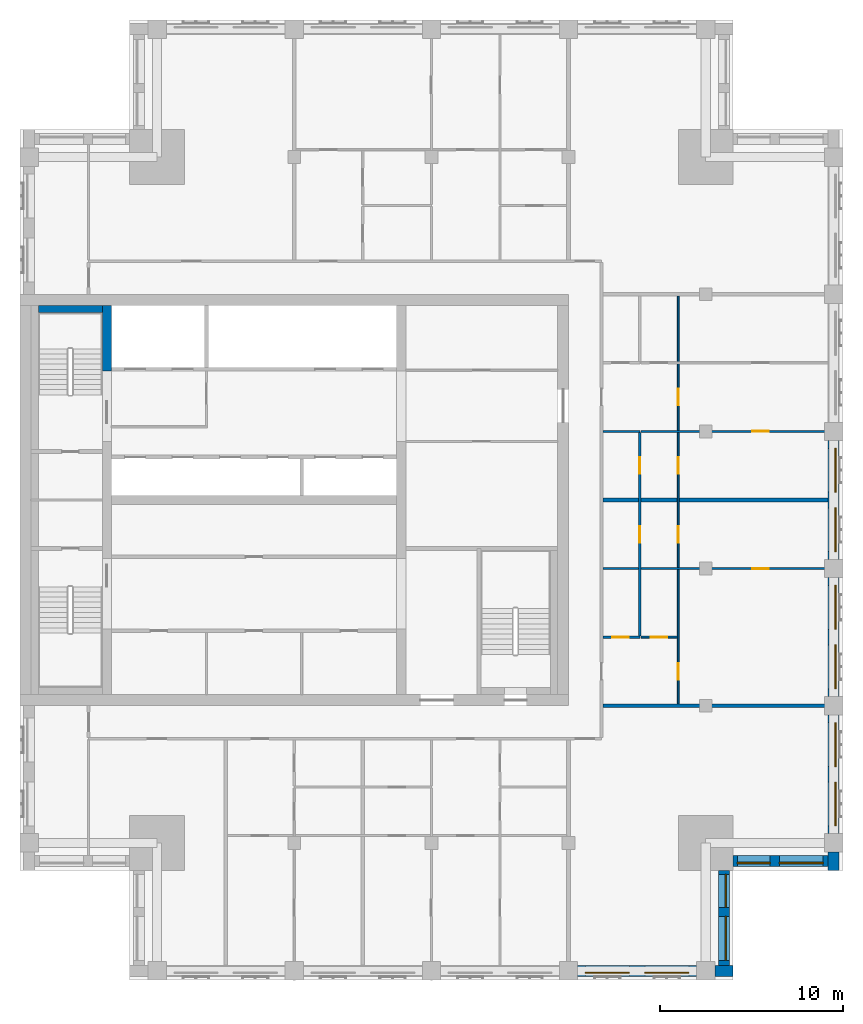
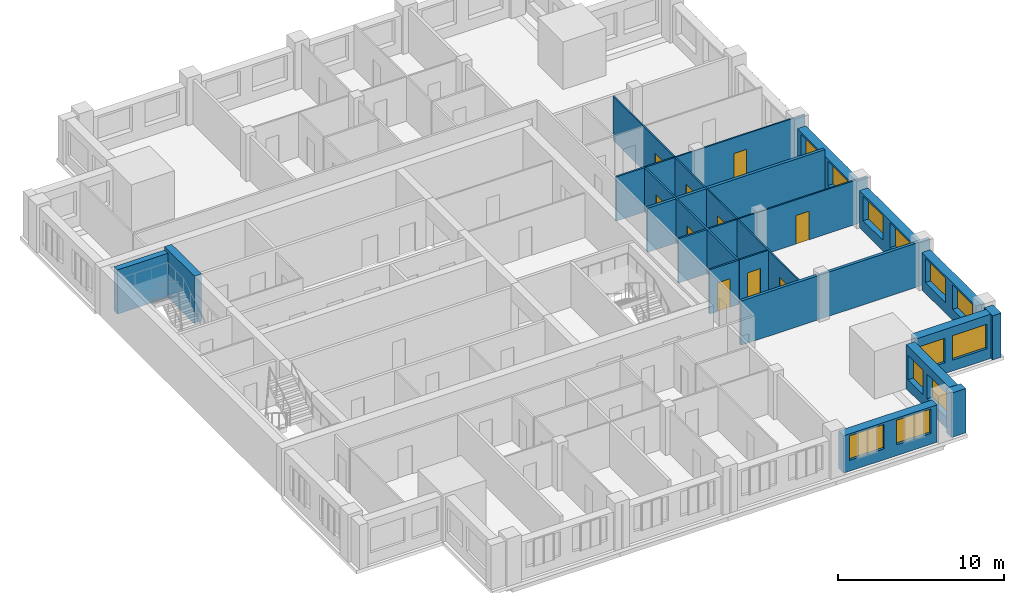
# One storey, part 5 of 10: 20 walls, 12 windows, 10 doors, 22 openings.
"""IFC4 building model written with IfcOpenShell, lengths in metres."""

from ifc_helpers import new_model, si_unit, direction, frame, frame_2d, origin, place, context, subcontext, project, spatial, rectangle, extrude, material, layer, layer_set, type_object, element, fill, save


model = new_model("IFC4")

# Units and contexts
model_context = context("Model", 3, precision=1e-05, world=origin(), true_north=direction((0.0, 1.0)))
body_context = subcontext(model_context, "Body", "Model", "MODEL_VIEW")
ifc_project = project(units=[si_unit("LENGTHUNIT", "METRE"), si_unit("AREAUNIT", "SQUARE_METRE"), si_unit("VOLUMEUNIT", "CUBIC_METRE"), si_unit("PLANEANGLEUNIT", "RADIAN"), si_unit("MASSUNIT", "GRAM", prefix="KILO")], contexts=[model_context])

# Site, building, storey
site_placement = place(None, origin())
site = spatial("IfcSite", under=ifc_project, at=site_placement, CompositionType="ELEMENT")
building_placement = place(site_placement, origin())
building = spatial("IfcBuilding", under=site, at=building_placement, Name="Tamorin Gate", CompositionType="ELEMENT")
storey_placement = place(building_placement, frame((0.0, 0.0, 269.699951171875)))
storey = spatial("IfcBuildingStorey", under=building, at=storey_placement, Name="L67", CompositionType="ELEMENT", Elevation=269.699951171875)

# Wall, openings, windows
ifc_material_1 = material(Name="Precast concrete C40/50", Category="concrete")
ifc_layer_1 = layer(ifc_material_1, 0.60009765625)
ifc_layer_set_1 = layer_set([ifc_layer_1], Name="Precast concrete C40/50")
wall_type_1 = type_object("IfcWallType", Name="Board-marked concrete facade panel 600", PredefinedType="SOLIDWALL", material=ifc_layer_set_1)
wall_1_placement = place(storey_placement, frame((60.5, 45.5, 0.0), z_axis=(0.0, 0.0, 1.0), x_axis=(1.0, 0.0, 0.0)))
wall_1 = element("IfcWall", 1, at=wall_1_placement, inside=storey, type_object=wall_type_1, Name="Facade panel", PredefinedType="SOLIDWALL", context=body_context, shape_type="SweptSolid", body=[
    extrude(rectangle(XDim=6.5, YDim=0.60009765625, at=frame_2d((3.25, 0.0))), origin(), (0.0, 0.0, 1.0), 2.75),
])
opening_1_placement = place(wall_1_placement, frame((0.425048828125, 0.0, 0.800048828125)))
opening_1 = element("IfcOpeningElement", 2, at=opening_1_placement, cuts=wall_1, Name="Opening WN1", PredefinedType="OPENING", context=body_context, shape_type="SweptSolid", body=[
    extrude(rectangle(XDim=2.39990234375, YDim=1.800048828125, at=frame_2d((1.199951171875, 0.89990234375))), frame((0.0, 0.31005859375, 0.0), z_axis=(0.0, -1.0, 0.0), x_axis=(1.0, 0.0, 0.0)), (0.0, 0.0, 1.0), 0.6201171875),
])
opening_2_placement = place(wall_1_placement, frame((3.675048828125, 0.0, 0.800048828125)))
opening_2 = element("IfcOpeningElement", 3, at=opening_2_placement, cuts=wall_1, Name="Opening WN1", PredefinedType="OPENING", context=body_context, shape_type="SweptSolid", body=[
    extrude(rectangle(XDim=2.39990234375, YDim=1.800048828125, at=frame_2d((1.199951171875, 0.89990234375))), frame((0.0, 0.31005859375, 0.0), z_axis=(0.0, -1.0, 0.0), x_axis=(1.0, 0.0, 0.0)), (0.0, 0.0, 1.0), 0.6201171875),
])
ifc_material_2 = material(Name="Clear glass in aluminium frame", Category="aluminium")
window_type_1 = type_object("IfcWindowType", Name="Deep-set window 2400x1800", PartitioningType="SINGLE_PANEL", PredefinedType="WINDOW", material=ifc_material_2)
window_1_placement = place(opening_1_placement, origin())
window_1 = element("IfcWindow", 4, at=window_1_placement, inside=storey, type_object=window_type_1, Name="Deep-set window", OverallHeight=1.800048828125, OverallWidth=2.39990234375, PartitioningType="SINGLE_PANEL", PredefinedType="WINDOW", context=body_context, shape_type="SweptSolid", body=[
    extrude(rectangle(XDim=2.39990234375, YDim=1.800048828125, at=frame_2d((1.199951171875, 0.89990234375))), frame((0.0, -0.070068359375, 0.0), z_axis=(0.0, -1.0, 0.0), x_axis=(1.0, 0.0, 0.0)), (0.0, 0.0, 1.0), 0.06005859375),
])
fill(opening_1, window_1)
window_2_placement = place(opening_2_placement, origin())
window_2 = element("IfcWindow", 5, at=window_2_placement, inside=storey, type_object=window_type_1, Name="Deep-set window", OverallHeight=1.800048828125, OverallWidth=2.39990234375, PartitioningType="SINGLE_PANEL", PredefinedType="WINDOW", context=body_context, shape_type="SweptSolid", body=[
    extrude(rectangle(XDim=2.39990234375, YDim=1.800048828125, at=frame_2d((1.199951171875, 0.89990234375))), frame((0.0, -0.070068359375, 0.0), z_axis=(0.0, -1.0, 0.0), x_axis=(1.0, 0.0, 0.0)), (0.0, 0.0, 1.0), 0.06005859375),
])
fill(opening_2, window_2)

# Wall
wall_2_placement = place(storey_placement, frame((68.0, 45.5, 0.0), z_axis=(0.0, 0.0, 1.0), x_axis=(1.0, 0.0, 0.0)))
element("IfcWall", 6, at=wall_2_placement, inside=storey, type_object=wall_type_1, Name="Facade panel", PredefinedType="SOLIDWALL", context=body_context, shape_type="SweptSolid", body=[
    extrude(rectangle(XDim=1.0, YDim=0.60009765625, at=frame_2d((0.5, 0.0))), origin(), (0.0, 0.0, 1.0), 3.25),
])

# Wall, openings, windows
wall_3_placement = place(storey_placement, frame((68.5, 45.800048828125, 0.0), z_axis=(0.0, 0.0, 1.0), x_axis=(0.0, 1.0, 0.0)))
wall_3 = element("IfcWall", 7, at=wall_3_placement, inside=storey, type_object=wall_type_1, Name="Facade panel", PredefinedType="SOLIDWALL", context=body_context, shape_type="SweptSolid", body=[
    extrude(rectangle(XDim=5.199951171875, YDim=0.60009765625, at=frame_2d((2.60009765625, 0.0))), origin(), (0.0, 0.0, 1.0), 3.25),
])
opening_3_placement = place(wall_3_placement, frame((0.27490234375, 0.0, 0.800048828125)))
opening_3 = element("IfcOpeningElement", 8, at=opening_3_placement, cuts=wall_3, Name="Opening WN1", PredefinedType="OPENING", context=body_context, shape_type="SweptSolid", body=[
    extrude(rectangle(XDim=2.39990234375, YDim=1.800048828125, at=frame_2d((1.199951171875, 0.89990234375))), frame((0.0, 0.31005859375, 0.0), z_axis=(0.0, -1.0, 0.0), x_axis=(1.0, 0.0, 0.0)), (0.0, 0.0, 1.0), 0.6201171875),
])
opening_4_placement = place(wall_3_placement, frame((3.175048828125, 0.0, 0.800048828125)))
opening_4 = element("IfcOpeningElement", 9, at=opening_4_placement, cuts=wall_3, Name="Opening WN2", PredefinedType="OPENING", context=body_context, shape_type="SweptSolid", body=[
    extrude(rectangle(XDim=1.800048828125, YDim=1.800048828125, at=frame_2d((0.89990234375, 0.89990234375))), frame((0.0, 0.31005859375, 0.0), z_axis=(0.0, -1.0, 0.0), x_axis=(1.0, 0.0, 0.0)), (0.0, 0.0, 1.0), 0.6201171875),
])
window_type_2 = type_object("IfcWindowType", Name="Deep-set window 1800x1800", PartitioningType="SINGLE_PANEL", PredefinedType="WINDOW", material=ifc_material_2)
window_3_placement = place(opening_4_placement, origin())
window_3 = element("IfcWindow", 10, at=window_3_placement, inside=storey, type_object=window_type_2, Name="Deep-set window", OverallHeight=1.800048828125, OverallWidth=1.800048828125, PartitioningType="SINGLE_PANEL", PredefinedType="WINDOW", context=body_context, shape_type="SweptSolid", body=[
    extrude(rectangle(XDim=1.800048828125, YDim=1.800048828125, at=frame_2d((0.89990234375, 0.89990234375))), frame((0.0, -0.070068359375, 0.0), z_axis=(0.0, -1.0, 0.0), x_axis=(1.0, 0.0, 0.0)), (0.0, 0.0, 1.0), 0.06005859375),
])
fill(opening_4, window_3)
window_4_placement = place(opening_3_placement, origin())
window_4 = element("IfcWindow", 11, at=window_4_placement, inside=storey, type_object=window_type_1, Name="Deep-set window", OverallHeight=1.800048828125, OverallWidth=2.39990234375, PartitioningType="SINGLE_PANEL", PredefinedType="WINDOW", context=body_context, shape_type="SweptSolid", body=[
    extrude(rectangle(XDim=2.39990234375, YDim=1.800048828125, at=frame_2d((1.199951171875, 0.89990234375))), frame((0.0, -0.070068359375, 0.0), z_axis=(0.0, -1.0, 0.0), x_axis=(1.0, 0.0, 0.0)), (0.0, 0.0, 1.0), 0.06005859375),
])
fill(opening_3, window_4)

wall_4_placement = place(storey_placement, frame((69.0, 51.5, 0.0), z_axis=(0.0, 0.0, 1.0), x_axis=(1.0, 0.0, 0.0)))
wall_4 = element("IfcWall", 12, at=wall_4_placement, inside=storey, type_object=wall_type_1, Name="Facade panel", PredefinedType="SOLIDWALL", context=body_context, shape_type="SweptSolid", body=[
    extrude(rectangle(XDim=5.199951171875, YDim=0.60009765625, at=frame_2d((2.60009765625, 0.0))), origin(), (0.0, 0.0, 1.0), 3.25),
])
opening_5_placement = place(wall_4_placement, frame((0.22509765625, 0.0, 0.800048828125)))
opening_5 = element("IfcOpeningElement", 13, at=opening_5_placement, cuts=wall_4, Name="Opening WN2", PredefinedType="OPENING", context=body_context, shape_type="SweptSolid", body=[
    extrude(rectangle(XDim=1.800048828125, YDim=1.800048828125, at=frame_2d((0.89990234375, 0.89990234375))), frame((0.0, 0.31005859375, 0.0), z_axis=(0.0, -1.0, 0.0), x_axis=(1.0, 0.0, 0.0)), (0.0, 0.0, 1.0), 0.6201171875),
])
opening_6_placement = place(wall_4_placement, frame((2.52490234375, 0.0, 0.800048828125)))
opening_6 = element("IfcOpeningElement", 14, at=opening_6_placement, cuts=wall_4, Name="Opening WN1", PredefinedType="OPENING", context=body_context, shape_type="SweptSolid", body=[
    extrude(rectangle(XDim=2.39990234375, YDim=1.800048828125, at=frame_2d((1.199951171875, 0.89990234375))), frame((0.0, 0.31005859375, 0.0), z_axis=(0.0, -1.0, 0.0), x_axis=(1.0, 0.0, 0.0)), (0.0, 0.0, 1.0), 0.6201171875),
])
window_5_placement = place(opening_5_placement, origin())
window_5 = element("IfcWindow", 15, at=window_5_placement, inside=storey, type_object=window_type_2, Name="Deep-set window", OverallHeight=1.800048828125, OverallWidth=1.800048828125, PartitioningType="SINGLE_PANEL", PredefinedType="WINDOW", context=body_context, shape_type="SweptSolid", body=[
    extrude(rectangle(XDim=1.800048828125, YDim=1.800048828125, at=frame_2d((0.89990234375, 0.89990234375))), frame((0.0, -0.070068359375, 0.0), z_axis=(0.0, -1.0, 0.0), x_axis=(1.0, 0.0, 0.0)), (0.0, 0.0, 1.0), 0.06005859375),
])
fill(opening_5, window_5)
window_6_placement = place(opening_6_placement, origin())
window_6 = element("IfcWindow", 16, at=window_6_placement, inside=storey, type_object=window_type_1, Name="Deep-set window", OverallHeight=1.800048828125, OverallWidth=2.39990234375, PartitioningType="SINGLE_PANEL", PredefinedType="WINDOW", context=body_context, shape_type="SweptSolid", body=[
    extrude(rectangle(XDim=2.39990234375, YDim=1.800048828125, at=frame_2d((1.199951171875, 0.89990234375))), frame((0.0, -0.070068359375, 0.0), z_axis=(0.0, -1.0, 0.0), x_axis=(1.0, 0.0, 0.0)), (0.0, 0.0, 1.0), 0.06005859375),
])
fill(opening_6, window_6)

# Wall
wall_5_placement = place(storey_placement, frame((74.5, 51.0, 0.0), z_axis=(0.0, 0.0, 1.0), x_axis=(0.0, 1.0, 0.0)))
element("IfcWall", 17, at=wall_5_placement, inside=storey, type_object=wall_type_1, Name="Facade panel", PredefinedType="SOLIDWALL", context=body_context, shape_type="SweptSolid", body=[
    extrude(rectangle(XDim=1.0, YDim=0.60009765625, at=frame_2d((0.5, 0.0))), origin(), (0.0, 0.0, 1.0), 3.25),
])

# Wall, openings, windows
wall_6_placement = place(storey_placement, frame((74.5, 53.0, 0.0), z_axis=(0.0, 0.0, 1.0), x_axis=(0.0, 1.0, 0.0)))
wall_6 = element("IfcWall", 18, at=wall_6_placement, inside=storey, type_object=wall_type_1, Name="Facade panel", PredefinedType="SOLIDWALL", context=body_context, shape_type="SweptSolid", body=[
    extrude(rectangle(XDim=6.5, YDim=0.60009765625, at=frame_2d((3.25, 0.0))), origin(), (0.0, 0.0, 1.0), 2.75),
])
opening_7_placement = place(wall_6_placement, frame((0.425048828125, 0.0, 0.800048828125)))
opening_7 = element("IfcOpeningElement", 19, at=opening_7_placement, cuts=wall_6, Name="Opening WN1", PredefinedType="OPENING", context=body_context, shape_type="SweptSolid", body=[
    extrude(rectangle(XDim=2.39990234375, YDim=1.800048828125, at=frame_2d((1.199951171875, 0.89990234375))), frame((0.0, 0.31005859375, 0.0), z_axis=(0.0, -1.0, 0.0), x_axis=(1.0, 0.0, 0.0)), (0.0, 0.0, 1.0), 0.6201171875),
])
opening_8_placement = place(wall_6_placement, frame((3.675048828125, 0.0, 0.800048828125)))
opening_8 = element("IfcOpeningElement", 20, at=opening_8_placement, cuts=wall_6, Name="Opening WN1", PredefinedType="OPENING", context=body_context, shape_type="SweptSolid", body=[
    extrude(rectangle(XDim=2.39990234375, YDim=1.800048828125, at=frame_2d((1.199951171875, 0.89990234375))), frame((0.0, 0.31005859375, 0.0), z_axis=(0.0, -1.0, 0.0), x_axis=(1.0, 0.0, 0.0)), (0.0, 0.0, 1.0), 0.6201171875),
])
window_7_placement = place(opening_7_placement, origin())
window_7 = element("IfcWindow", 21, at=window_7_placement, inside=storey, type_object=window_type_1, Name="Deep-set window", OverallHeight=1.800048828125, OverallWidth=2.39990234375, PartitioningType="SINGLE_PANEL", PredefinedType="WINDOW", context=body_context, shape_type="SweptSolid", body=[
    extrude(rectangle(XDim=2.39990234375, YDim=1.800048828125, at=frame_2d((1.199951171875, 0.89990234375))), frame((0.0, -0.070068359375, 0.0), z_axis=(0.0, -1.0, 0.0), x_axis=(1.0, 0.0, 0.0)), (0.0, 0.0, 1.0), 0.06005859375),
])
fill(opening_7, window_7)
window_8_placement = place(opening_8_placement, origin())
window_8 = element("IfcWindow", 22, at=window_8_placement, inside=storey, type_object=window_type_1, Name="Deep-set window", OverallHeight=1.800048828125, OverallWidth=2.39990234375, PartitioningType="SINGLE_PANEL", PredefinedType="WINDOW", context=body_context, shape_type="SweptSolid", body=[
    extrude(rectangle(XDim=2.39990234375, YDim=1.800048828125, at=frame_2d((1.199951171875, 0.89990234375))), frame((0.0, -0.070068359375, 0.0), z_axis=(0.0, -1.0, 0.0), x_axis=(1.0, 0.0, 0.0)), (0.0, 0.0, 1.0), 0.06005859375),
])
fill(opening_8, window_8)

wall_7_placement = place(storey_placement, frame((74.5, 60.5, 0.0), z_axis=(0.0, 0.0, 1.0), x_axis=(0.0, 1.0, 0.0)))
wall_7 = element("IfcWall", 23, at=wall_7_placement, inside=storey, type_object=wall_type_1, Name="Facade panel", PredefinedType="SOLIDWALL", context=body_context, shape_type="SweptSolid", body=[
    extrude(rectangle(XDim=6.5, YDim=0.60009765625, at=frame_2d((3.25, 0.0))), origin(), (0.0, 0.0, 1.0), 2.75),
])
opening_9_placement = place(wall_7_placement, frame((0.425048828125, 0.0, 0.800048828125)))
opening_9 = element("IfcOpeningElement", 24, at=opening_9_placement, cuts=wall_7, Name="Opening WN1", PredefinedType="OPENING", context=body_context, shape_type="SweptSolid", body=[
    extrude(rectangle(XDim=2.39990234375, YDim=1.800048828125, at=frame_2d((1.199951171875, 0.89990234375))), frame((0.0, 0.31005859375, 0.0), z_axis=(0.0, -1.0, 0.0), x_axis=(1.0, 0.0, 0.0)), (0.0, 0.0, 1.0), 0.6201171875),
])
opening_10_placement = place(wall_7_placement, frame((3.675048828125, 0.0, 0.800048828125)))
opening_10 = element("IfcOpeningElement", 25, at=opening_10_placement, cuts=wall_7, Name="Opening WN1", PredefinedType="OPENING", context=body_context, shape_type="SweptSolid", body=[
    extrude(rectangle(XDim=2.39990234375, YDim=1.800048828125, at=frame_2d((1.199951171875, 0.89990234375))), frame((0.0, 0.31005859375, 0.0), z_axis=(0.0, -1.0, 0.0), x_axis=(1.0, 0.0, 0.0)), (0.0, 0.0, 1.0), 0.6201171875),
])
window_9_placement = place(opening_9_placement, origin())
window_9 = element("IfcWindow", 26, at=window_9_placement, inside=storey, type_object=window_type_1, Name="Deep-set window", OverallHeight=1.800048828125, OverallWidth=2.39990234375, PartitioningType="SINGLE_PANEL", PredefinedType="WINDOW", context=body_context, shape_type="SweptSolid", body=[
    extrude(rectangle(XDim=2.39990234375, YDim=1.800048828125, at=frame_2d((1.199951171875, 0.89990234375))), frame((0.0, -0.070068359375, 0.0), z_axis=(0.0, -1.0, 0.0), x_axis=(1.0, 0.0, 0.0)), (0.0, 0.0, 1.0), 0.06005859375),
])
fill(opening_9, window_9)
window_10_placement = place(opening_10_placement, origin())
window_10 = element("IfcWindow", 27, at=window_10_placement, inside=storey, type_object=window_type_1, Name="Deep-set window", OverallHeight=1.800048828125, OverallWidth=2.39990234375, PartitioningType="SINGLE_PANEL", PredefinedType="WINDOW", context=body_context, shape_type="SweptSolid", body=[
    extrude(rectangle(XDim=2.39990234375, YDim=1.800048828125, at=frame_2d((1.199951171875, 0.89990234375))), frame((0.0, -0.070068359375, 0.0), z_axis=(0.0, -1.0, 0.0), x_axis=(1.0, 0.0, 0.0)), (0.0, 0.0, 1.0), 0.06005859375),
])
fill(opening_10, window_10)

wall_8_placement = place(storey_placement, frame((74.5, 68.0, 0.0), z_axis=(0.0, 0.0, 1.0), x_axis=(0.0, 1.0, 0.0)))
wall_8 = element("IfcWall", 28, at=wall_8_placement, inside=storey, type_object=wall_type_1, Name="Facade panel", PredefinedType="SOLIDWALL", context=body_context, shape_type="SweptSolid", body=[
    extrude(rectangle(XDim=6.5, YDim=0.60009765625, at=frame_2d((3.25, 0.0))), origin(), (0.0, 0.0, 1.0), 2.75),
])
opening_11_placement = place(wall_8_placement, frame((0.425048828125, 0.0, 0.800048828125)))
opening_11 = element("IfcOpeningElement", 29, at=opening_11_placement, cuts=wall_8, Name="Opening WN1", PredefinedType="OPENING", context=body_context, shape_type="SweptSolid", body=[
    extrude(rectangle(XDim=2.39990234375, YDim=1.800048828125, at=frame_2d((1.199951171875, 0.89990234375))), frame((0.0, 0.31005859375, 0.0), z_axis=(0.0, -1.0, 0.0), x_axis=(1.0, 0.0, 0.0)), (0.0, 0.0, 1.0), 0.6201171875),
])
opening_12_placement = place(wall_8_placement, frame((3.675048828125, 0.0, 0.800048828125)))
opening_12 = element("IfcOpeningElement", 30, at=opening_12_placement, cuts=wall_8, Name="Opening WN1", PredefinedType="OPENING", context=body_context, shape_type="SweptSolid", body=[
    extrude(rectangle(XDim=2.39990234375, YDim=1.800048828125, at=frame_2d((1.199951171875, 0.89990234375))), frame((0.0, 0.31005859375, 0.0), z_axis=(0.0, -1.0, 0.0), x_axis=(1.0, 0.0, 0.0)), (0.0, 0.0, 1.0), 0.6201171875),
])
window_11_placement = place(opening_11_placement, origin())
window_11 = element("IfcWindow", 31, at=window_11_placement, inside=storey, type_object=window_type_1, Name="Deep-set window", OverallHeight=1.800048828125, OverallWidth=2.39990234375, PartitioningType="SINGLE_PANEL", PredefinedType="WINDOW", context=body_context, shape_type="SweptSolid", body=[
    extrude(rectangle(XDim=2.39990234375, YDim=1.800048828125, at=frame_2d((1.199951171875, 0.89990234375))), frame((0.0, -0.070068359375, 0.0), z_axis=(0.0, -1.0, 0.0), x_axis=(1.0, 0.0, 0.0)), (0.0, 0.0, 1.0), 0.06005859375),
])
fill(opening_11, window_11)
window_12_placement = place(opening_12_placement, origin())
window_12 = element("IfcWindow", 32, at=window_12_placement, inside=storey, type_object=window_type_1, Name="Deep-set window", OverallHeight=1.800048828125, OverallWidth=2.39990234375, PartitioningType="SINGLE_PANEL", PredefinedType="WINDOW", context=body_context, shape_type="SweptSolid", body=[
    extrude(rectangle(XDim=2.39990234375, YDim=1.800048828125, at=frame_2d((1.199951171875, 0.89990234375))), frame((0.0, -0.070068359375, 0.0), z_axis=(0.0, -1.0, 0.0), x_axis=(1.0, 0.0, 0.0)), (0.0, 0.0, 1.0), 0.06005859375),
])
fill(opening_12, window_12)

# Walls
ifc_material_3 = material(Name="Gypsum board partition")
ifc_layer_2 = layer(ifc_material_3, 0.199951171875)
ifc_layer_set_2 = layer_set([ifc_layer_2], Name="Demising wall 200")
wall_type_2 = type_object("IfcWallType", Name="Demising wall 200", PredefinedType="PARTITIONING", material=ifc_layer_set_2)
wall_9_placement = place(storey_placement, frame((61.875, 60.0, 0.0), z_axis=(0.0, 0.0, 1.0), x_axis=(1.0, 0.0, 0.0)))
element("IfcWall", 33, at=wall_9_placement, inside=storey, type_object=wall_type_2, Name="Demising wall 200", PredefinedType="PARTITIONING", context=body_context, shape_type="SweptSolid", body=[
    extrude(rectangle(XDim=13.125, YDim=0.199951171875, at=frame_2d((6.5625, 0.0))), origin(), (0.0, 0.0, 1.0), 3.25),
])
wall_10_placement = place(storey_placement, frame((61.875, 71.25, 0.0), z_axis=(0.0, 0.0, 1.0), x_axis=(1.0, 0.0, 0.0)))
element("IfcWall", 34, at=wall_10_placement, inside=storey, type_object=wall_type_2, Name="Demising wall 200", PredefinedType="PARTITIONING", context=body_context, shape_type="SweptSolid", body=[
    extrude(rectangle(XDim=12.31494140625, YDim=0.199951171875, at=frame_2d((6.157470703125, 0.0))), origin(), (0.0, 0.0, 1.0), 3.25),
])
ifc_material_4 = material(Name="Concrete C50/60", Category="concrete")
ifc_layer_3 = layer(ifc_material_4, 0.5)
ifc_layer_set_3 = layer_set([ifc_layer_3], Name="RC core internal wall 500 C50/60")
wall_type_3 = type_object("IfcWallType", Name="RC core internal wall 500 C50/60", PredefinedType="SHEAR", material=ifc_layer_set_3)
wall_11_placement = place(storey_placement, frame((34.75, 78.300048828125, 0.0), z_axis=(0.0, 0.0, 1.0), x_axis=(0.0, 1.0, 0.0)))
element("IfcWall", 35, at=wall_11_placement, inside=storey, type_object=wall_type_3, Name="Core cross wall L67", PredefinedType="SHEAR", context=body_context, shape_type="SweptSolid", body=[
    extrude(rectangle(XDim=3.599853515625, YDim=0.5, at=frame_2d((1.7998046875, 0.0))), origin(), (0.0, 0.0, 1.0), 3.5),
])

# Wall, opening, door
ifc_layer_4 = layer(ifc_material_3, 0.10009765625)
ifc_layer_set_4 = layer_set([ifc_layer_4], Name="Room partition 100")
wall_type_4 = type_object("IfcWallType", Name="Room partition 100", PredefinedType="PARTITIONING", material=ifc_layer_set_4)
wall_12_placement = place(storey_placement, frame((63.96240234375, 63.75, 0.0), z_axis=(0.0, 0.0, 1.0), x_axis=(1.0, 0.0, 0.0)))
wall_12 = element("IfcWall", 36, at=wall_12_placement, inside=storey, type_object=wall_type_4, Name="Room partition 100", PredefinedType="PARTITIONING", context=body_context, shape_type="SweptSolid", body=[
    extrude(rectangle(XDim=1.987548828125, YDim=0.10009765625, at=frame_2d((0.99365234375, 0.0))), origin(), (0.0, 0.0, 1.0), 3.25),
])
opening_13_placement = place(wall_12_placement, frame((0.53759765625, 0.0, 0.0)))
opening_13 = element("IfcOpeningElement", 37, at=opening_13_placement, cuts=wall_12, Name="Opening DR9031", PredefinedType="OPENING", context=body_context, shape_type="SweptSolid", body=[
    extrude(rectangle(XDim=0.89990234375, YDim=2.10009765625, at=frame_2d((0.449951171875, 1.050048828125))), frame((0.0, 0.06005859375, 0.0), z_axis=(0.0, -1.0, 0.0), x_axis=(1.0, 0.0, 0.0)), (0.0, 0.0, 1.0), 0.1201171875),
])
ifc_material_5 = material(Name="Timber door leaf", Category="wood")
door_type = type_object("IfcDoorType", Name="Door 900 x 2100", OperationType="NOTDEFINED", PredefinedType="DOOR", material=ifc_material_5)
door_1_placement = place(opening_13_placement, origin())
door_1 = element("IfcDoor", 38, at=door_1_placement, inside=storey, type_object=door_type, Name="Door DR9031", OperationType="SINGLE_SWING_RIGHT", OverallHeight=2.10009765625, OverallWidth=0.89990234375, PredefinedType="DOOR", context=body_context, shape_type="SweptSolid", body=[
    extrude(rectangle(XDim=0.89990234375, YDim=2.10009765625, at=frame_2d((0.449951171875, 1.050048828125))), frame((0.0, 0.02490234375, 0.0), z_axis=(0.0, -1.0, 0.0), x_axis=(1.0, 0.0, 0.0)), (0.0, 0.0, 1.0), 0.050048828125),
])
fill(opening_13, door_1)

wall_13_placement = place(storey_placement, frame((63.96240234375, 67.5, 0.0), z_axis=(0.0, 0.0, 1.0), x_axis=(1.0, 0.0, 0.0)))
wall_13 = element("IfcWall", 39, at=wall_13_placement, inside=storey, type_object=wall_type_4, Name="Room partition 100", PredefinedType="PARTITIONING", context=body_context, shape_type="SweptSolid", body=[
    extrude(rectangle(XDim=11.03759765625, YDim=0.10009765625, at=frame_2d((5.518798828125, 0.0))), origin(), (0.0, 0.0, 1.0), 3.25),
])
opening_14_placement = place(wall_13_placement, frame((6.08740234375, 0.0, 0.0)))
opening_14 = element("IfcOpeningElement", 40, at=opening_14_placement, cuts=wall_13, Name="Opening DR9035", PredefinedType="OPENING", context=body_context, shape_type="SweptSolid", body=[
    extrude(rectangle(XDim=0.89990234375, YDim=2.10009765625, at=frame_2d((0.449951171875, 1.050048828125))), frame((0.0, 0.06005859375, 0.0), z_axis=(0.0, -1.0, 0.0), x_axis=(1.0, 0.0, 0.0)), (0.0, 0.0, 1.0), 0.1201171875),
])
door_2_placement = place(opening_14_placement, origin())
door_2 = element("IfcDoor", 41, at=door_2_placement, inside=storey, type_object=door_type, Name="Door DR9035", OperationType="SINGLE_SWING_RIGHT", OverallHeight=2.10009765625, OverallWidth=0.89990234375, PredefinedType="DOOR", context=body_context, shape_type="SweptSolid", body=[
    extrude(rectangle(XDim=0.89990234375, YDim=2.10009765625, at=frame_2d((0.449951171875, 1.050048828125))), frame((0.0, 0.02490234375, 0.0), z_axis=(0.0, -1.0, 0.0), x_axis=(1.0, 0.0, 0.0)), (0.0, 0.0, 1.0), 0.050048828125),
])
fill(opening_14, door_2)

wall_14_placement = place(storey_placement, frame((63.96240234375, 75.0, 0.0), z_axis=(0.0, 0.0, 1.0), x_axis=(1.0, 0.0, 0.0)))
wall_14 = element("IfcWall", 42, at=wall_14_placement, inside=storey, type_object=wall_type_4, Name="Room partition 100", PredefinedType="PARTITIONING", context=body_context, shape_type="SweptSolid", body=[
    extrude(rectangle(XDim=11.03759765625, YDim=0.10009765625, at=frame_2d((5.518798828125, 0.0))), origin(), (0.0, 0.0, 1.0), 3.25),
])
opening_15_placement = place(wall_14_placement, frame((6.08740234375, 0.0, 0.0)))
opening_15 = element("IfcOpeningElement", 43, at=opening_15_placement, cuts=wall_14, Name="Opening DR9042", PredefinedType="OPENING", context=body_context, shape_type="SweptSolid", body=[
    extrude(rectangle(XDim=0.89990234375, YDim=2.10009765625, at=frame_2d((0.449951171875, 1.050048828125))), frame((0.0, 0.06005859375, 0.0), z_axis=(0.0, -1.0, 0.0), x_axis=(1.0, 0.0, 0.0)), (0.0, 0.0, 1.0), 0.1201171875),
])
door_3_placement = place(opening_15_placement, origin())
door_3 = element("IfcDoor", 44, at=door_3_placement, inside=storey, type_object=door_type, Name="Door DR9042", OperationType="SINGLE_SWING_RIGHT", OverallHeight=2.10009765625, OverallWidth=0.89990234375, PredefinedType="DOOR", context=body_context, shape_type="SweptSolid", body=[
    extrude(rectangle(XDim=0.89990234375, YDim=2.10009765625, at=frame_2d((0.449951171875, 1.050048828125))), frame((0.0, 0.02490234375, 0.0), z_axis=(0.0, -1.0, 0.0), x_axis=(1.0, 0.0, 0.0)), (0.0, 0.0, 1.0), 0.050048828125),
])
fill(opening_15, door_3)

# Wall, openings, doors
wall_15_placement = place(storey_placement, frame((66.0, 60.10009765625, 0.0), z_axis=(0.0, 0.0, 1.0), x_axis=(0.0, 1.0, 0.0)))
wall_15 = element("IfcWall", 45, at=wall_15_placement, inside=storey, type_object=wall_type_4, Name="Room partition 100", PredefinedType="PARTITIONING", context=body_context, shape_type="SweptSolid", body=[
    extrude(rectangle(XDim=22.2998046875, YDim=0.10009765625, at=frame_2d((11.14990234375, 0.0))), origin(), (0.0, 0.0, 1.0), 3.25),
])
opening_16_placement = place(wall_15_placement, frame((1.324951171875, 0.0, 0.0)))
opening_16 = element("IfcOpeningElement", 46, at=opening_16_placement, cuts=wall_15, Name="Opening DR9030", PredefinedType="OPENING", context=body_context, shape_type="SweptSolid", body=[
    extrude(rectangle(XDim=0.89990234375, YDim=2.10009765625, at=frame_2d((0.449951171875, 1.050048828125))), frame((0.0, 0.06005859375, 0.0), z_axis=(0.0, -1.0, 0.0), x_axis=(1.0, 0.0, 0.0)), (0.0, 0.0, 1.0), 0.1201171875),
])
opening_17_placement = place(wall_15_placement, frame((8.824951171875, 0.0, 0.0)))
opening_17 = element("IfcOpeningElement", 47, at=opening_17_placement, cuts=wall_15, Name="Opening DR9033", PredefinedType="OPENING", context=body_context, shape_type="SweptSolid", body=[
    extrude(rectangle(XDim=0.89990234375, YDim=2.10009765625, at=frame_2d((0.449951171875, 1.050048828125))), frame((0.0, 0.06005859375, 0.0), z_axis=(0.0, -1.0, 0.0), x_axis=(1.0, 0.0, 0.0)), (0.0, 0.0, 1.0), 0.1201171875),
])
opening_18_placement = place(wall_15_placement, frame((12.574951171875, 0.0, 0.0)))
opening_18 = element("IfcOpeningElement", 48, at=opening_18_placement, cuts=wall_15, Name="Opening DR9036", PredefinedType="OPENING", context=body_context, shape_type="SweptSolid", body=[
    extrude(rectangle(XDim=0.89990234375, YDim=2.10009765625, at=frame_2d((0.449951171875, 1.050048828125))), frame((0.0, 0.06005859375, 0.0), z_axis=(0.0, -1.0, 0.0), x_axis=(1.0, 0.0, 0.0)), (0.0, 0.0, 1.0), 0.1201171875),
])
opening_19_placement = place(wall_15_placement, frame((16.324951171875, 0.0, 0.0)))
opening_19 = element("IfcOpeningElement", 49, at=opening_19_placement, cuts=wall_15, Name="Opening DR9039", PredefinedType="OPENING", context=body_context, shape_type="SweptSolid", body=[
    extrude(rectangle(XDim=0.89990234375, YDim=2.10009765625, at=frame_2d((0.449951171875, 1.050048828125))), frame((0.0, 0.06005859375, 0.0), z_axis=(0.0, -1.0, 0.0), x_axis=(1.0, 0.0, 0.0)), (0.0, 0.0, 1.0), 0.1201171875),
])
door_4_placement = place(opening_16_placement, origin())
door_4 = element("IfcDoor", 50, at=door_4_placement, inside=storey, type_object=door_type, Name="Door DR9030", OperationType="SINGLE_SWING_LEFT", OverallHeight=2.10009765625, OverallWidth=0.89990234375, PredefinedType="DOOR", context=body_context, shape_type="SweptSolid", body=[
    extrude(rectangle(XDim=0.89990234375, YDim=2.10009765625, at=frame_2d((0.449951171875, 1.050048828125))), frame((0.0, 0.02490234375, 0.0), z_axis=(0.0, -1.0, 0.0), x_axis=(1.0, 0.0, 0.0)), (0.0, 0.0, 1.0), 0.050048828125),
])
fill(opening_16, door_4)
door_5_placement = place(opening_17_placement, origin())
door_5 = element("IfcDoor", 51, at=door_5_placement, inside=storey, type_object=door_type, Name="Door DR9033", OperationType="SINGLE_SWING_LEFT", OverallHeight=2.10009765625, OverallWidth=0.89990234375, PredefinedType="DOOR", context=body_context, shape_type="SweptSolid", body=[
    extrude(rectangle(XDim=0.89990234375, YDim=2.10009765625, at=frame_2d((0.449951171875, 1.050048828125))), frame((0.0, 0.02490234375, 0.0), z_axis=(0.0, -1.0, 0.0), x_axis=(1.0, 0.0, 0.0)), (0.0, 0.0, 1.0), 0.050048828125),
])
fill(opening_17, door_5)
door_6_placement = place(opening_18_placement, origin())
door_6 = element("IfcDoor", 52, at=door_6_placement, inside=storey, type_object=door_type, Name="Door DR9036", OperationType="SINGLE_SWING_LEFT", OverallHeight=2.10009765625, OverallWidth=0.89990234375, PredefinedType="DOOR", context=body_context, shape_type="SweptSolid", body=[
    extrude(rectangle(XDim=0.89990234375, YDim=2.10009765625, at=frame_2d((0.449951171875, 1.050048828125))), frame((0.0, 0.02490234375, 0.0), z_axis=(0.0, -1.0, 0.0), x_axis=(1.0, 0.0, 0.0)), (0.0, 0.0, 1.0), 0.050048828125),
])
fill(opening_18, door_6)
door_7_placement = place(opening_19_placement, origin())
door_7 = element("IfcDoor", 53, at=door_7_placement, inside=storey, type_object=door_type, Name="Door DR9039", OperationType="SINGLE_SWING_LEFT", OverallHeight=2.10009765625, OverallWidth=0.89990234375, PredefinedType="DOOR", context=body_context, shape_type="SweptSolid", body=[
    extrude(rectangle(XDim=0.89990234375, YDim=2.10009765625, at=frame_2d((0.449951171875, 1.050048828125))), frame((0.0, 0.02490234375, 0.0), z_axis=(0.0, -1.0, 0.0), x_axis=(1.0, 0.0, 0.0)), (0.0, 0.0, 1.0), 0.050048828125),
])
fill(opening_19, door_7)

# Wall
ifc_layer_5 = layer(ifc_material_4, 0.39990234375)
ifc_layer_set_5 = layer_set([ifc_layer_5], Name="Stair lining wall 400 EI 120 C50/60")
wall_type_5 = type_object("IfcWallType", Name="Stair lining wall 400 EI 120 C50/60", PredefinedType="SOLIDWALL", material=ifc_layer_set_5)
wall_16_placement = place(storey_placement, frame((31.0, 81.699951171875, 0.0), z_axis=(0.0, 0.0, 1.0), x_axis=(1.0, 0.0, 0.0)))
element("IfcWall", 54, at=wall_16_placement, inside=storey, type_object=wall_type_5, Name="Stair lining wall", PredefinedType="SOLIDWALL", context=body_context, shape_type="SweptSolid", body=[
    extrude(rectangle(XDim=3.5, YDim=0.39990234375, at=frame_2d((1.75, 0.0))), origin(), (0.0, 0.0, 1.0), 3.25),
])

# Wall, opening, door
ifc_layer_6 = layer(ifc_material_3, 0.125)
ifc_layer_set_6 = layer_set([ifc_layer_6], Name="Wet wall 125")
wall_type_6 = type_object("IfcWallType", Name="Wet wall 125", PredefinedType="PARTITIONING", material=ifc_layer_set_6)
wall_17_placement = place(storey_placement, frame((61.875, 63.75, 0.0), z_axis=(0.0, 0.0, 1.0), x_axis=(1.0, 0.0, 0.0)))
wall_17 = element("IfcWall", 55, at=wall_17_placement, inside=storey, type_object=wall_type_6, Name="Wet wall 125", PredefinedType="PARTITIONING", context=body_context, shape_type="SweptSolid", body=[
    extrude(rectangle(XDim=2.02490234375, YDim=0.125, at=frame_2d((1.012451171875, 0.0))), origin(), (0.0, 0.0, 1.0), 3.25),
])
opening_20_placement = place(wall_17_placement, frame((0.52490234375, 0.0, 0.0)))
opening_20 = element("IfcOpeningElement", 56, at=opening_20_placement, cuts=wall_17, Name="Opening DR9032", PredefinedType="OPENING", context=body_context, shape_type="SweptSolid", body=[
    extrude(rectangle(XDim=0.89990234375, YDim=2.10009765625, at=frame_2d((0.449951171875, 1.050048828125))), frame((0.0, 0.072509765625, 0.0), z_axis=(0.0, -1.0, 0.0), x_axis=(1.0, 0.0, 0.0)), (0.0, 0.0, 1.0), 0.14501953125),
])
door_8_placement = place(opening_20_placement, origin())
door_8 = element("IfcDoor", 57, at=door_8_placement, inside=storey, type_object=door_type, Name="Door DR9032", OperationType="SINGLE_SWING_RIGHT", OverallHeight=2.10009765625, OverallWidth=0.89990234375, PredefinedType="DOOR", context=body_context, shape_type="SweptSolid", body=[
    extrude(rectangle(XDim=0.89990234375, YDim=2.10009765625, at=frame_2d((0.449951171875, 1.050048828125))), frame((0.0, 0.02490234375, 0.0), z_axis=(0.0, -1.0, 0.0), x_axis=(1.0, 0.0, 0.0)), (0.0, 0.0, 1.0), 0.050048828125),
])
fill(opening_20, door_8)

# Walls
wall_18_placement = place(storey_placement, frame((61.875, 67.5, 0.0), z_axis=(0.0, 0.0, 1.0), x_axis=(1.0, 0.0, 0.0)))
element("IfcWall", 58, at=wall_18_placement, inside=storey, type_object=wall_type_6, Name="Wet wall 125", PredefinedType="PARTITIONING", context=body_context, shape_type="SweptSolid", body=[
    extrude(rectangle(XDim=1.96240234375, YDim=0.125, at=frame_2d((0.981201171875, 0.0))), origin(), (0.0, 0.0, 1.0), 3.25),
])
wall_19_placement = place(storey_placement, frame((61.875, 75.0, 0.0), z_axis=(0.0, 0.0, 1.0), x_axis=(1.0, 0.0, 0.0)))
element("IfcWall", 59, at=wall_19_placement, inside=storey, type_object=wall_type_6, Name="Wet wall 125", PredefinedType="PARTITIONING", context=body_context, shape_type="SweptSolid", body=[
    extrude(rectangle(XDim=2.02490234375, YDim=0.125, at=frame_2d((1.012451171875, 0.0))), origin(), (0.0, 0.0, 1.0), 3.25),
])

# Wall, openings, doors
wall_20_placement = place(storey_placement, frame((63.89990234375, 63.8125, 0.0), z_axis=(0.0, 0.0, 1.0), x_axis=(0.0, 1.0, 0.0)))
wall_20 = element("IfcWall", 60, at=wall_20_placement, inside=storey, type_object=wall_type_6, Name="Wet wall 125", PredefinedType="PARTITIONING", context=body_context, shape_type="SweptSolid", body=[
    extrude(rectangle(XDim=11.125, YDim=0.125, at=frame_2d((5.5625, 0.0))), origin(), (0.0, 0.0, 1.0), 3.25),
])
opening_21_placement = place(wall_20_placement, frame((5.112548828125, 0.0, 0.0)))
opening_21 = element("IfcOpeningElement", 61, at=opening_21_placement, cuts=wall_20, Name="Opening DR9034", PredefinedType="OPENING", context=body_context, shape_type="SweptSolid", body=[
    extrude(rectangle(XDim=0.89990234375, YDim=2.10009765625, at=frame_2d((0.449951171875, 1.050048828125))), frame((0.0, 0.072509765625, 0.0), z_axis=(0.0, -1.0, 0.0), x_axis=(1.0, 0.0, 0.0)), (0.0, 0.0, 1.0), 0.14501953125),
])
opening_22_placement = place(wall_20_placement, frame((8.862548828125, 0.0, 0.0)))
opening_22 = element("IfcOpeningElement", 62, at=opening_22_placement, cuts=wall_20, Name="Opening DR9037", PredefinedType="OPENING", context=body_context, shape_type="SweptSolid", body=[
    extrude(rectangle(XDim=0.89990234375, YDim=2.10009765625, at=frame_2d((0.449951171875, 1.050048828125))), frame((0.0, 0.072509765625, 0.0), z_axis=(0.0, -1.0, 0.0), x_axis=(1.0, 0.0, 0.0)), (0.0, 0.0, 1.0), 0.14501953125),
])
door_9_placement = place(opening_21_placement, origin())
door_9 = element("IfcDoor", 63, at=door_9_placement, inside=storey, type_object=door_type, Name="Door DR9034", OperationType="SINGLE_SWING_LEFT", OverallHeight=2.10009765625, OverallWidth=0.89990234375, PredefinedType="DOOR", context=body_context, shape_type="SweptSolid", body=[
    extrude(rectangle(XDim=0.89990234375, YDim=2.10009765625, at=frame_2d((0.449951171875, 1.050048828125))), frame((0.0, 0.02490234375, 0.0), z_axis=(0.0, -1.0, 0.0), x_axis=(1.0, 0.0, 0.0)), (0.0, 0.0, 1.0), 0.050048828125),
])
fill(opening_21, door_9)
door_10_placement = place(opening_22_placement, origin())
door_10 = element("IfcDoor", 64, at=door_10_placement, inside=storey, type_object=door_type, Name="Door DR9037", OperationType="SINGLE_SWING_LEFT", OverallHeight=2.10009765625, OverallWidth=0.89990234375, PredefinedType="DOOR", context=body_context, shape_type="SweptSolid", body=[
    extrude(rectangle(XDim=0.89990234375, YDim=2.10009765625, at=frame_2d((0.449951171875, 1.050048828125))), frame((0.0, 0.02490234375, 0.0), z_axis=(0.0, -1.0, 0.0), x_axis=(1.0, 0.0, 0.0)), (0.0, 0.0, 1.0), 0.050048828125),
])
fill(opening_22, door_10)

save(model, "model.ifc")
